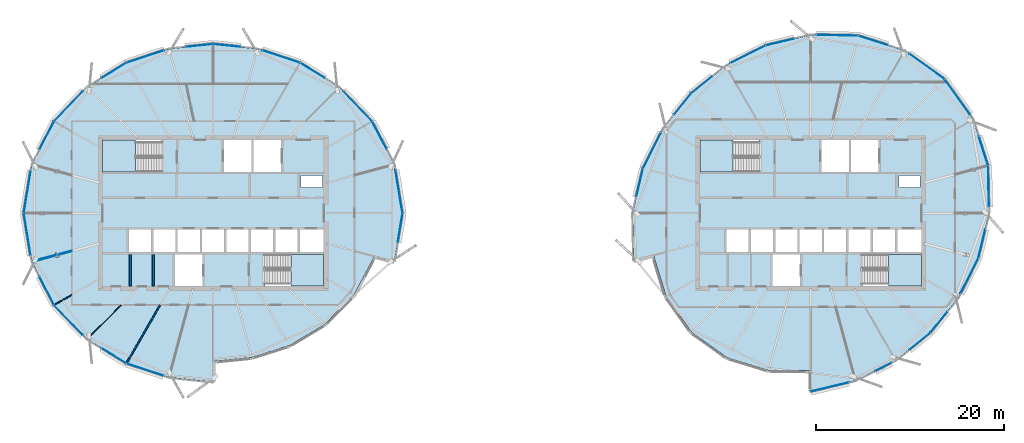
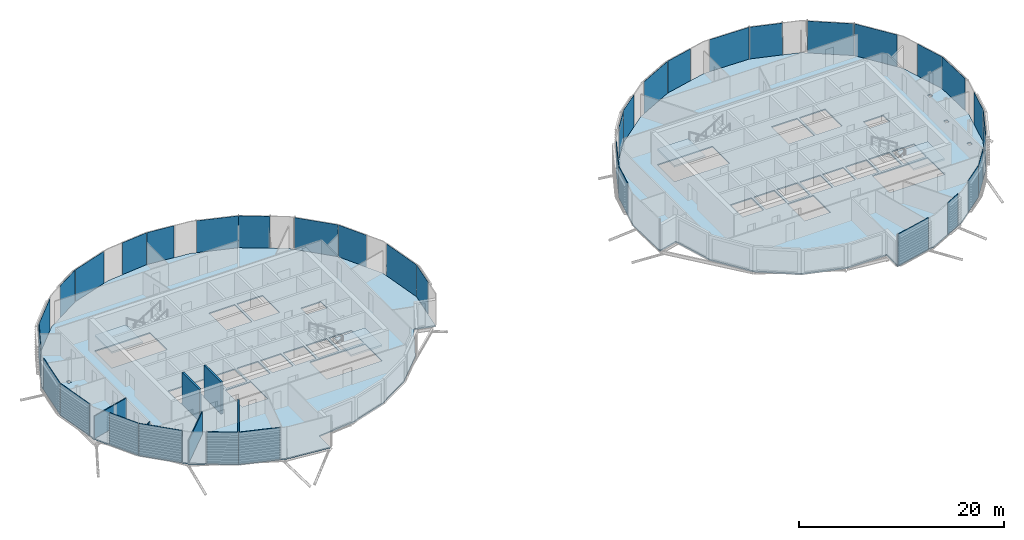
# One storey, part 15 of 34: 36 plates, 6 slabs, 6 walls, 6 elements without a shape of their own.
"""IFC4 building model written with IfcOpenShell, lengths in metres."""

from ifc_helpers import new_model, si_unit, direction, frame, frame_2d, origin, origin_2d, place, context, subcontext, project, spatial, polyline, rectangle, outline, extrude, material, layer, layer_set, type_object, element, aggregate, save


model = new_model("IFC4")

# Units and contexts
model_context = context("Model", 3, precision=1e-05, world=origin(), true_north=direction((0.0, 1.0)))
body_context = subcontext(model_context, "Body", "Model", "MODEL_VIEW")
ifc_project = project(units=[si_unit("LENGTHUNIT", "METRE"), si_unit("AREAUNIT", "SQUARE_METRE"), si_unit("VOLUMEUNIT", "CUBIC_METRE"), si_unit("PLANEANGLEUNIT", "RADIAN"), si_unit("MASSUNIT", "GRAM", prefix="KILO")], contexts=[model_context])

# Site, building, storey
site_placement = place(None, origin())
site = spatial("IfcSite", under=ifc_project, at=site_placement, CompositionType="ELEMENT")
building_placement = place(site_placement, origin())
building = spatial("IfcBuilding", under=site, at=building_placement, Name="Rimbun Link Towers", CompositionType="ELEMENT")
storey_placement = place(building_placement, frame((0.0, 0.0, 252.300048828125)))
storey = spatial("IfcBuildingStorey", under=building, at=storey_placement, Name="L62", CompositionType="ELEMENT", Elevation=252.300048828125)

# Slabs
ifc_material_1 = material(Name="Concrete C35/45", Category="concrete")
ifc_layer_1 = layer(ifc_material_1, 0.139892578125)
ifc_layer_set_1 = layer_set([ifc_layer_1], Name="COMPOSITE FLOOR 140")
slab_type_1 = type_object("IfcSlabType", Name="COMPOSITE FLOOR 140", PredefinedType="FLOOR", material=ifc_layer_set_1)
slab_1_placement = place(storey_placement, frame((0.0, 0.0, -0.14013671875)))
element("IfcSlab", 1, at=slab_1_placement, inside=storey, type_object=slab_type_1, Name="Floor slab T1 L62", PredefinedType="FLOOR", context=body_context, shape_type="SweptSolid", body=[
    extrude(outline(polyline([(-36.428466796875, -17.460693359375), (-40.96337890625, -15.957763671875), (-45.14208984375, -13.39208984375), (-48.635009765625, -9.74853515625), (-51.009033203125, -5.160400390625), (-51.857666015625, 0.0), (-51.009033203125, 5.160400390625), (-48.635009765625, 9.74853515625), (-45.14208984375, 13.39208984375), (-40.96337890625, 15.957763671875), (-36.428466796875, 17.460693359375), (-31.75, 17.953369140625), (-27.071533203125, 17.460693359375), (-22.53662109375, 15.957763671875), (-18.35791015625, 13.39208984375), (-14.864990234375, 9.74853515625), (-12.490966796875, 5.160400390625), (-11.642333984375, 0.0), (-12.490966796875, -5.160400390625), (-14.615966796875, -4.591064453125), (-16.77001953125, -8.648681640625), (-19.91357421875, -11.83642578125), (-23.63671875, -14.052490234375), (-27.640869140625, -15.33544921875), (-31.75, -15.75341796875), (-31.75, -17.953369140625), (-36.428466796875, -17.460693359375)]), holes=[polyline([(-32.89990234375, -7.75), (-32.89990234375, -4.39990234375), (-35.800048828125, -4.39990234375), (-35.800048828125, -7.75), (-32.89990234375, -7.75)]), polyline([(-48.135009765625, -4.640625), (-48.135009765625, -4.2470703125), (-48.533935546875, -4.2470703125), (-48.533935546875, -4.640625), (-48.135009765625, -4.640625)]), polyline([(-38.361083984375, -4.14990234375), (-38.361083984375, -1.75), (-40.70556640625, -1.75), (-40.70556640625, -4.14990234375), (-38.361083984375, -4.14990234375)]), polyline([(-35.7666015625, -4.14990234375), (-35.7666015625, -1.75), (-38.111083984375, -1.75), (-38.111083984375, -4.14990234375), (-35.7666015625, -4.14990234375)]), polyline([(-33.172119140625, -4.14990234375), (-33.172119140625, -1.75), (-35.5166015625, -1.75), (-35.5166015625, -4.14990234375), (-33.172119140625, -4.14990234375)]), polyline([(-30.577880859375, -4.14990234375), (-30.577880859375, -1.75), (-32.922119140625, -1.75), (-32.922119140625, -4.14990234375), (-30.577880859375, -4.14990234375)]), polyline([(-49.733642578125, -0.19677734375), (-49.733642578125, 0.19677734375), (-50.132568359375, 0.19677734375), (-50.132568359375, -0.19677734375), (-49.733642578125, -0.19677734375)]), polyline([(-48.135009765625, 4.2470703125), (-48.135009765625, 4.640625), (-48.533935546875, 4.640625), (-48.533935546875, 4.2470703125), (-48.135009765625, 4.2470703125)]), polyline([(-37.260009765625, 4.39990234375), (-37.260009765625, 7.75), (-43.5, 7.75), (-43.5, 4.39990234375), (-37.260009765625, 4.39990234375)]), polyline([(-20.0, -7.75), (-20.0, -4.39990234375), (-26.239990234375, -4.39990234375), (-26.239990234375, -7.75), (-20.0, -7.75)]), polyline([(-27.9833984375, -4.14990234375), (-27.9833984375, -1.75), (-30.327880859375, -1.75), (-30.327880859375, -4.14990234375), (-27.9833984375, -4.14990234375)]), polyline([(-25.388916015625, -4.14990234375), (-25.388916015625, -1.75), (-27.7333984375, -1.75), (-27.7333984375, -4.14990234375), (-25.388916015625, -4.14990234375)]), polyline([(-22.79443359375, -4.14990234375), (-22.79443359375, -1.75), (-25.138916015625, -1.75), (-25.138916015625, -4.14990234375), (-22.79443359375, -4.14990234375)]), polyline([(-20.0, -4.14990234375), (-20.0, -1.75), (-22.54443359375, -1.75), (-22.54443359375, -4.14990234375), (-20.0, -4.14990234375)]), polyline([(-22.394287109375, 2.75), (-20.14990234375, 2.75), (-20.14990234375, 4.0), (-22.394287109375, 4.0), (-22.394287109375, 2.75)]), polyline([(-30.60009765625, 4.39990234375), (-27.699951171875, 4.39990234375), (-27.699951171875, 7.75), (-30.60009765625, 7.75), (-30.60009765625, 4.39990234375)]), polyline([(-27.449951171875, 4.39990234375), (-24.550048828125, 4.39990234375), (-24.550048828125, 7.75), (-27.449951171875, 7.75), (-27.449951171875, 4.39990234375)])]), origin(), (0.0, 0.0, 1.0), 0.14013671875),
])
slab_2_placement = place(storey_placement, frame((0.0, 0.0, -0.14013671875)))
element("IfcSlab", 2, at=slab_2_placement, inside=storey, type_object=slab_type_1, Name="Floor slab T2 L62", PredefinedType="FLOOR", context=body_context, shape_type="SweptSolid", body=[
    extrude(outline(polyline([(12.810791015625, 0.0), (13.951416015625, 4.76904296875), (16.09521484375, 9.038330078125), (19.05517578125, 12.69482421875), (22.711669921875, 15.65478515625), (26.98095703125, 17.798583984375), (31.75, 18.939208984375), (36.79638671875, 18.8330078125), (41.71923828125, 17.267333984375), (45.96826171875, 14.21826171875), (49.017333984375, 9.96923828125), (50.5830078125, 5.04638671875), (50.689208984375, 0.0), (49.548583984375, -4.76904296875), (47.40478515625, -9.038330078125), (44.44482421875, -12.69482421875), (40.788330078125, -15.65478515625), (36.51904296875, -17.798583984375), (31.75, -18.939208984375), (31.75, -16.7392578125), (27.273193359375, -16.7080078125), (22.880615234375, -15.362060546875), (19.08740234375, -12.66259765625), (16.387939453125, -8.869384765625), (15.0419921875, -4.476806640625), (12.9169921875, -5.04638671875), (12.810791015625, 0.0)]), holes=[polyline([(30.60009765625, -7.75), (30.60009765625, -4.39990234375), (27.699951171875, -4.39990234375), (27.699951171875, -7.75), (30.60009765625, -7.75)]), polyline([(25.138916015625, -4.14990234375), (25.138916015625, -1.75), (22.79443359375, -1.75), (22.79443359375, -4.14990234375), (25.138916015625, -4.14990234375)]), polyline([(27.7333984375, -4.14990234375), (27.7333984375, -1.75), (25.388916015625, -1.75), (25.388916015625, -4.14990234375), (27.7333984375, -4.14990234375)]), polyline([(30.327880859375, -4.14990234375), (30.327880859375, -1.75), (27.9833984375, -1.75), (27.9833984375, -4.14990234375), (30.327880859375, -4.14990234375)]), polyline([(32.922119140625, -4.14990234375), (32.922119140625, -1.75), (30.577880859375, -1.75), (30.577880859375, -4.14990234375), (32.922119140625, -4.14990234375)]), polyline([(35.5166015625, -4.14990234375), (35.5166015625, -1.75), (33.172119140625, -1.75), (33.172119140625, -4.14990234375), (35.5166015625, -4.14990234375)]), polyline([(38.111083984375, -4.14990234375), (38.111083984375, -1.75), (35.7666015625, -1.75), (35.7666015625, -4.14990234375), (38.111083984375, -4.14990234375)]), polyline([(26.239990234375, 4.39990234375), (26.239990234375, 7.75), (20.0, 7.75), (20.0, 4.39990234375), (26.239990234375, 4.39990234375)]), polyline([(35.800048828125, 4.39990234375), (35.800048828125, 7.75), (32.89990234375, 7.75), (32.89990234375, 4.39990234375), (35.800048828125, 4.39990234375)]), polyline([(43.5, -7.75), (43.5, -4.39990234375), (37.260009765625, -4.39990234375), (37.260009765625, -7.75), (43.5, -7.75)]), polyline([(48.4482421875, -4.61767578125), (48.4482421875, -4.22412109375), (48.04931640625, -4.22412109375), (48.04931640625, -4.61767578125), (48.4482421875, -4.61767578125)]), polyline([(40.70556640625, -4.14990234375), (40.70556640625, -1.75), (38.361083984375, -1.75), (38.361083984375, -4.14990234375), (40.70556640625, -4.14990234375)]), polyline([(43.5, -4.14990234375), (43.5, -1.75), (40.95556640625, -1.75), (40.95556640625, -4.14990234375), (43.5, -4.14990234375)]), polyline([(48.37451171875, -0.19677734375), (48.37451171875, 0.19677734375), (47.9755859375, 0.19677734375), (47.9755859375, -0.19677734375), (48.37451171875, -0.19677734375)]), polyline([(41.105712890625, 2.75), (43.35009765625, 2.75), (43.35009765625, 4.0), (41.105712890625, 4.0), (41.105712890625, 2.75)]), polyline([(48.78857421875, 4.422119140625), (49.1875, 4.422119140625), (49.1875, 4.815673828125), (48.78857421875, 4.815673828125), (48.78857421875, 4.422119140625)]), polyline([(36.050048828125, 4.39990234375), (38.949951171875, 4.39990234375), (38.949951171875, 7.75), (36.050048828125, 7.75), (36.050048828125, 4.39990234375)])]), origin(), (0.0, 0.0, 1.0), 0.14013671875),
])

# Curtain wall, plates
ifc_material_2 = material(Name="Aluminium 6063-T6 and low-iron glass", Category="aluminium")
curtain_wall_type = type_object("IfcCurtainWallType", Name="CW1-Z4 unitised vision wall (zone 4)", PredefinedType="NOTDEFINED", material=ifc_material_2)
curtain_wall_1_placement = place(storey_placement, origin())
curtain_wall_1 = element("IfcCurtainWall", 3, at=curtain_wall_1_placement, inside=storey, type_object=curtain_wall_type, Name="CW1 L62 T1", PredefinedType="NOTDEFINED")
ifc_material_3 = material(Name="Low-iron glass, laminated low-e unit", Category="glass")
ifc_layer_2 = layer(ifc_material_3, 0.028076171875)
ifc_layer_set_2 = layer_set([ifc_layer_2], Name="CW1 panel Low-iron glass 28")
plate_type = type_object("IfcPlateType", Name="CW1 panel Low-iron glass 28", PredefinedType="CURTAIN_PANEL", material=ifc_layer_set_2)
plate_1_placement = place(storey_placement, frame((-12.004150390625, 2.286376953125, 0.0), z_axis=(0.0, 0.0, 1.0), x_axis=(0.162262199201, -0.986747677327, 0.0)))
plate_1 = element("IfcPlate", 4, at=plate_1_placement, type_object=plate_type, Name="CW1 panel", PredefinedType="CURTAIN_PANEL", context=body_context, shape_type="SweptSolid", body=[
    extrude(rectangle(XDim=4.58984375, YDim=0.028076171875, at=origin_2d()), origin(), (0.0, 0.0, 1.0), 3.800048828125),
])
plate_2_placement = place(storey_placement, frame((-14.090576171875, 8.282470703125, 0.0), z_axis=(0.0, 0.0, 1.0), x_axis=(0.459551935126, -0.888150898734, 0.0)))
plate_2 = element("IfcPlate", 5, at=plate_2_placement, type_object=plate_type, Name="CW1 panel", PredefinedType="CURTAIN_PANEL", context=body_context, shape_type="SweptSolid", body=[
    extrude(rectangle(XDim=3.27587890625, YDim=0.028076171875, at=origin_2d()), origin(), (0.0, 0.0, 1.0), 3.800048828125),
])
plate_3_placement = place(storey_placement, frame((-16.393798828125, 11.363525390625, 0.0), z_axis=(0.0, 0.0, 1.0), x_axis=(0.692040898915, -0.721858292347, 0.0)))
plate_3 = element("IfcPlate", 6, at=plate_3_placement, type_object=plate_type, Name="CW1 panel", PredefinedType="CURTAIN_PANEL", context=body_context, shape_type="SweptSolid", body=[
    extrude(rectangle(XDim=4.407470703125, YDim=0.028076171875, at=origin_2d()), origin(), (0.0, 0.0, 1.0), 3.800048828125),
])
plate_4_placement = place(storey_placement, frame((-21.20703125, 15.15771484375, 0.0), z_axis=(0.0, 0.0, 1.0), x_axis=(0.852192124219, -0.523228997113, 0.0)))
plate_4 = element("IfcPlate", 7, at=plate_4_placement, type_object=plate_type, Name="CW1 panel", PredefinedType="CURTAIN_PANEL", context=body_context, shape_type="SweptSolid", body=[
    extrude(rectangle(XDim=3.0634765625, YDim=0.028076171875, at=origin_2d()), origin(), (0.0, 0.0, 1.0), 3.800048828125),
])
plate_5_placement = place(storey_placement, frame((-24.53857421875, 16.635986328125, 0.0), z_axis=(0.0, 0.0, 1.0), x_axis=(0.949234460205, -0.314569451089, 0.0)))
plate_5 = element("IfcPlate", 8, at=plate_5_placement, type_object=plate_type, Name="CW1 panel", PredefinedType="CURTAIN_PANEL", context=body_context, shape_type="SweptSolid", body=[
    extrude(rectangle(XDim=4.187255859375, YDim=0.028076171875, at=origin_2d()), origin(), (0.0, 0.0, 1.0), 3.800048828125),
])
plate_6_placement = place(storey_placement, frame((-30.279541015625, 17.8125, 0.0), z_axis=(0.0, 0.0, 1.0), x_axis=(0.994500443326, -0.10473236474, 0.0)))
plate_6 = element("IfcPlate", 9, at=plate_6_placement, type_object=plate_type, Name="CW1 panel", PredefinedType="CURTAIN_PANEL", context=body_context, shape_type="SweptSolid", body=[
    extrude(rectangle(XDim=2.914306640625, YDim=0.028076171875, at=origin_2d()), origin(), (0.0, 0.0, 1.0), 3.800048828125),
])
plate_7_placement = place(storey_placement, frame((-33.220458984375, 17.8125, 0.0), z_axis=(0.0, 0.0, 1.0), x_axis=(0.994500443326, 0.10473236474, 0.0)))
plate_7 = element("IfcPlate", 10, at=plate_7_placement, type_object=plate_type, Name="CW1 panel", PredefinedType="CURTAIN_PANEL", context=body_context, shape_type="SweptSolid", body=[
    extrude(rectangle(XDim=2.914306640625, YDim=0.028076171875, at=origin_2d()), origin(), (0.0, 0.0, 1.0), 3.800048828125),
])
plate_8_placement = place(storey_placement, frame((-38.96142578125, 16.635986328125, 0.0), z_axis=(0.0, 0.0, 1.0), x_axis=(0.949234460205, 0.314569451089, 0.0)))
plate_8 = element("IfcPlate", 11, at=plate_8_placement, type_object=plate_type, Name="CW1 panel", PredefinedType="CURTAIN_PANEL", context=body_context, shape_type="SweptSolid", body=[
    extrude(rectangle(XDim=4.187255859375, YDim=0.028076171875, at=origin_2d()), origin(), (0.0, 0.0, 1.0), 3.800048828125),
])
plate_9_placement = place(storey_placement, frame((-42.29296875, 15.15771484375, 0.0), z_axis=(0.0, 0.0, 1.0), x_axis=(0.852192124219, 0.523228997113, 0.0)))
plate_9 = element("IfcPlate", 12, at=plate_9_placement, type_object=plate_type, Name="CW1 panel", PredefinedType="CURTAIN_PANEL", context=body_context, shape_type="SweptSolid", body=[
    extrude(rectangle(XDim=3.0634765625, YDim=0.028076171875, at=origin_2d()), origin(), (0.0, 0.0, 1.0), 3.800048828125),
])
plate_10_placement = place(storey_placement, frame((-47.106201171875, 11.363525390625, 0.0), z_axis=(0.0, 0.0, 1.0), x_axis=(0.692040898915, 0.721858292347, 0.0)))
plate_10 = element("IfcPlate", 13, at=plate_10_placement, type_object=plate_type, Name="CW1 panel", PredefinedType="CURTAIN_PANEL", context=body_context, shape_type="SweptSolid", body=[
    extrude(rectangle(XDim=4.407470703125, YDim=0.028076171875, at=origin_2d()), origin(), (0.0, 0.0, 1.0), 3.800048828125),
])
plate_11_placement = place(storey_placement, frame((-49.432373046875, 8.238037109375, 0.0), z_axis=(0.0, 0.0, 1.0), x_axis=(0.459551935126, 0.888150898734, 0.0)))
plate_11 = element("IfcPlate", 14, at=plate_11_placement, type_object=plate_type, Name="CW1 panel", PredefinedType="CURTAIN_PANEL", context=body_context, shape_type="SweptSolid", body=[
    extrude(rectangle(XDim=3.3759765625, YDim=0.028076171875, at=origin_2d()), origin(), (0.0, 0.0, 1.0), 3.800048828125),
])
plate_12_placement = place(storey_placement, frame((-51.5, 2.26171875, 0.0), z_axis=(0.0, 0.0, 1.0), x_axis=(0.162262199201, 0.986747677327, 0.0)))
plate_12 = element("IfcPlate", 15, at=plate_12_placement, type_object=plate_type, Name="CW1 panel", PredefinedType="CURTAIN_PANEL", context=body_context, shape_type="SweptSolid", body=[
    extrude(rectangle(XDim=4.539794921875, YDim=0.028076171875, at=origin_2d()), origin(), (0.0, 0.0, 1.0), 3.800048828125),
])
plate_13_placement = place(storey_placement, frame((-51.5, -2.26171875, 0.0), z_axis=(0.0, 0.0, 1.0), x_axis=(-0.162262199201, 0.986747677327, 0.0)))
plate_13 = element("IfcPlate", 16, at=plate_13_placement, type_object=plate_type, Name="CW1 panel", PredefinedType="CURTAIN_PANEL", context=body_context, shape_type="SweptSolid", body=[
    extrude(rectangle(XDim=4.539794921875, YDim=0.028076171875, at=origin_2d()), origin(), (0.0, 0.0, 1.0), 3.800048828125),
])
plate_14_placement = place(storey_placement, frame((-49.432373046875, -8.238037109375, 0.0), z_axis=(0.0, 0.0, 1.0), x_axis=(-0.459551935126, 0.888150898734, 0.0)))
plate_14 = element("IfcPlate", 17, at=plate_14_placement, type_object=plate_type, Name="CW1 panel", PredefinedType="CURTAIN_PANEL", context=body_context, shape_type="SweptSolid", body=[
    extrude(rectangle(XDim=3.3759765625, YDim=0.028076171875, at=origin_2d()), origin(), (0.0, 0.0, 1.0), 3.800048828125),
])
plate_15_placement = place(storey_placement, frame((-47.106201171875, -11.363525390625, 0.0), z_axis=(0.0, 0.0, 1.0), x_axis=(-0.692040898915, 0.721858292347, 0.0)))
plate_15 = element("IfcPlate", 18, at=plate_15_placement, type_object=plate_type, Name="CW1 panel", PredefinedType="CURTAIN_PANEL", context=body_context, shape_type="SweptSolid", body=[
    extrude(rectangle(XDim=4.407470703125, YDim=0.028076171875, at=origin_2d()), origin(), (0.0, 0.0, 1.0), 3.800048828125),
])
plate_16_placement = place(storey_placement, frame((-42.29296875, -15.15771484375, 0.0), z_axis=(0.0, 0.0, 1.0), x_axis=(-0.852192124219, 0.523228997113, 0.0)))
plate_16 = element("IfcPlate", 19, at=plate_16_placement, type_object=plate_type, Name="CW1 panel", PredefinedType="CURTAIN_PANEL", context=body_context, shape_type="SweptSolid", body=[
    extrude(rectangle(XDim=3.0634765625, YDim=0.028076171875, at=origin_2d()), origin(), (0.0, 0.0, 1.0), 3.800048828125),
])
plate_17_placement = place(storey_placement, frame((-38.985107421875, -16.628173828125, 0.0), z_axis=(0.0, 0.0, 1.0), x_axis=(-0.949234460205, 0.314569451089, 0.0)))
plate_17 = element("IfcPlate", 20, at=plate_17_placement, type_object=plate_type, Name="CW1 panel", PredefinedType="CURTAIN_PANEL", context=body_context, shape_type="SweptSolid", body=[
    extrude(rectangle(XDim=4.13720703125, YDim=0.028076171875, at=origin_2d()), origin(), (0.0, 0.0, 1.0), 3.800048828125),
])
plate_18_placement = place(storey_placement, frame((-11.886474609375, -1.571044921875, 0.0), z_axis=(0.0, 0.0, 1.0), x_axis=(-0.162262199201, -0.986747677327, 0.0)))
plate_18 = element("IfcPlate", 21, at=plate_18_placement, type_object=plate_type, Name="CW1 panel", PredefinedType="CURTAIN_PANEL", context=body_context, shape_type="SweptSolid", body=[
    extrude(rectangle(XDim=3.139892578125, YDim=0.028076171875, at=origin_2d()), origin(), (0.0, 0.0, 1.0), 3.800048828125),
])
aggregate(curtain_wall_1, [plate_1, plate_2, plate_3, plate_4, plate_5, plate_6, plate_7, plate_8, plate_9, plate_10, plate_11, plate_12, plate_13, plate_14, plate_15, plate_16, plate_17, plate_18])

curtain_wall_2_placement = place(storey_placement, origin())
curtain_wall_2 = element("IfcCurtainWall", 22, at=curtain_wall_2_placement, inside=storey, type_object=curtain_wall_type, Name="CW1 L62 T2", PredefinedType="NOTDEFINED")
plate_19_placement = place(storey_placement, frame((44.095703125, 15.579345703125, 0.0), z_axis=(0.0, 0.0, 1.0), x_axis=(0.812465398272, -0.583009413827, 0.0)))
plate_19 = element("IfcPlate", 23, at=plate_19_placement, type_object=plate_type, Name="CW1 panel", PredefinedType="CURTAIN_PANEL", context=body_context, shape_type="SweptSolid", body=[
    extrude(rectangle(XDim=4.58984375, YDim=0.028076171875, at=origin_2d()), origin(), (0.0, 0.0, 1.0), 3.800048828125),
])
plate_20_placement = place(storey_placement, frame((38.380615234375, 18.34375, 0.0), z_axis=(0.0, 0.0, 1.0), x_axis=(0.952971021704, -0.303061432375, 0.0)))
plate_20 = element("IfcPlate", 24, at=plate_20_placement, type_object=plate_type, Name="CW1 panel", PredefinedType="CURTAIN_PANEL", context=body_context, shape_type="SweptSolid", body=[
    extrude(rectangle(XDim=3.27587890625, YDim=0.028076171875, at=origin_2d()), origin(), (0.0, 0.0, 1.0), 3.800048828125),
])
plate_21_placement = place(storey_placement, frame((34.573486328125, 18.893798828125, 0.0), z_axis=(0.0, 0.0, 1.0), x_axis=(0.999778207989, -0.021060266635, 0.0)))
plate_21 = element("IfcPlate", 25, at=plate_21_placement, type_object=plate_type, Name="CW1 panel", PredefinedType="CURTAIN_PANEL", context=body_context, shape_type="SweptSolid", body=[
    extrude(rectangle(XDim=4.407470703125, YDim=0.028076171875, at=origin_2d()), origin(), (0.0, 0.0, 1.0), 3.800048828125),
])
plate_22_placement = place(storey_placement, frame((28.48681640625, 18.173095703125, 0.0), z_axis=(0.0, 0.0, 1.0), x_axis=(0.972571370192, 0.232604664363, 0.0)))
plate_22 = element("IfcPlate", 26, at=plate_22_placement, type_object=plate_type, Name="CW1 panel", PredefinedType="CURTAIN_PANEL", context=body_context, shape_type="SweptSolid", body=[
    extrude(rectangle(XDim=3.063720703125, YDim=0.028076171875, at=origin_2d()), origin(), (0.0, 0.0, 1.0), 3.800048828125),
])
plate_23_placement = place(storey_placement, frame((25.085693359375, 16.862548828125, 0.0), z_axis=(0.0, 0.0, 1.0), x_axis=(0.893647148893, 0.4487702901, 0.0)))
plate_23 = element("IfcPlate", 27, at=plate_23_placement, type_object=plate_type, Name="CW1 panel", PredefinedType="CURTAIN_PANEL", context=body_context, shape_type="SweptSolid", body=[
    extrude(rectangle(XDim=4.187255859375, YDim=0.028076171875, at=origin_2d()), origin(), (0.0, 0.0, 1.0), 3.800048828125),
])
plate_24_placement = place(storey_placement, frame((20.175048828125, 13.619384765625, 0.0), z_axis=(0.0, 0.0, 1.0), x_axis=(0.777276551105, 0.629159092045, 0.0)))
plate_24 = element("IfcPlate", 28, at=plate_24_placement, type_object=plate_type, Name="CW1 panel", PredefinedType="CURTAIN_PANEL", context=body_context, shape_type="SweptSolid", body=[
    extrude(rectangle(XDim=2.8642578125, YDim=0.028076171875, at=origin_2d()), origin(), (0.0, 0.0, 1.0), 3.800048828125),
])
plate_25_placement = place(storey_placement, frame((18.130615234375, 11.574951171875, 0.0), z_axis=(0.0, 0.0, 1.0), x_axis=(0.629159092045, 0.777276551105, 0.0)))
plate_25 = element("IfcPlate", 29, at=plate_25_placement, type_object=plate_type, Name="CW1 panel", PredefinedType="CURTAIN_PANEL", context=body_context, shape_type="SweptSolid", body=[
    extrude(rectangle(XDim=2.8642578125, YDim=0.028076171875, at=origin_2d()), origin(), (0.0, 0.0, 1.0), 3.800048828125),
])
plate_26_placement = place(storey_placement, frame((14.887451171875, 6.664306640625, 0.0), z_axis=(0.0, 0.0, 1.0), x_axis=(0.4487702901, 0.893647148893, 0.0)))
plate_26 = element("IfcPlate", 30, at=plate_26_placement, type_object=plate_type, Name="CW1 panel", PredefinedType="CURTAIN_PANEL", context=body_context, shape_type="SweptSolid", body=[
    extrude(rectangle(XDim=4.187255859375, YDim=0.028076171875, at=origin_2d()), origin(), (0.0, 0.0, 1.0), 3.800048828125),
])
plate_27_placement = place(storey_placement, frame((13.571044921875, 3.23876953125, 0.0), z_axis=(0.0, 0.0, 1.0), x_axis=(0.232604664363, 0.972571370192, 0.0)))
plate_27 = element("IfcPlate", 31, at=plate_27_placement, type_object=plate_type, Name="CW1 panel", PredefinedType="CURTAIN_PANEL", context=body_context, shape_type="SweptSolid", body=[
    extrude(rectangle(XDim=3.113525390625, YDim=0.028076171875, at=origin_2d()), origin(), (0.0, 0.0, 1.0), 3.800048828125),
])
plate_28_placement = place(storey_placement, frame((33.773193359375, -18.4697265625, 0.0), z_axis=(0.0, 0.0, 1.0), x_axis=(-0.972571370192, -0.232604664363, 0.0)))
plate_28 = element("IfcPlate", 32, at=plate_28_placement, type_object=plate_type, Name="CW1 panel", PredefinedType="CURTAIN_PANEL", context=body_context, shape_type="SweptSolid", body=[
    extrude(rectangle(XDim=4.113525390625, YDim=0.028076171875, at=origin_2d()), origin(), (0.0, 0.0, 1.0), 3.800048828125),
])
plate_29_placement = place(storey_placement, frame((39.44189453125, -16.346435546875, 0.0), z_axis=(0.0, 0.0, 1.0), x_axis=(-0.893647148893, -0.4487702901, 0.0)))
plate_29 = element("IfcPlate", 33, at=plate_29_placement, type_object=plate_type, Name="CW1 panel", PredefinedType="CURTAIN_PANEL", context=body_context, shape_type="SweptSolid", body=[
    extrude(rectangle(XDim=1.88720703125, YDim=0.028076171875, at=origin_2d()), origin(), (0.0, 0.0, 1.0), 3.800048828125),
])
plate_30_placement = place(storey_placement, frame((43.324951171875, -13.619384765625, 0.0), z_axis=(0.0, 0.0, 1.0), x_axis=(-0.777276551105, -0.629159092045, 0.0)))
plate_30 = element("IfcPlate", 34, at=plate_30_placement, type_object=plate_type, Name="CW1 panel", PredefinedType="CURTAIN_PANEL", context=body_context, shape_type="SweptSolid", body=[
    extrude(rectangle(XDim=2.8642578125, YDim=0.028076171875, at=origin_2d()), origin(), (0.0, 0.0, 1.0), 3.800048828125),
])
plate_31_placement = place(storey_placement, frame((45.369384765625, -11.574951171875, 0.0), z_axis=(0.0, 0.0, 1.0), x_axis=(-0.629159092045, -0.777276551105, 0.0)))
plate_31 = element("IfcPlate", 35, at=plate_31_placement, type_object=plate_type, Name="CW1 panel", PredefinedType="CURTAIN_PANEL", context=body_context, shape_type="SweptSolid", body=[
    extrude(rectangle(XDim=2.8642578125, YDim=0.028076171875, at=origin_2d()), origin(), (0.0, 0.0, 1.0), 3.800048828125),
])
plate_32_placement = place(storey_placement, frame((48.612548828125, -6.664306640625, 0.0), z_axis=(0.0, 0.0, 1.0), x_axis=(-0.4487702901, -0.893647148893, 0.0)))
plate_32 = element("IfcPlate", 36, at=plate_32_placement, type_object=plate_type, Name="CW1 panel", PredefinedType="CURTAIN_PANEL", context=body_context, shape_type="SweptSolid", body=[
    extrude(rectangle(XDim=4.187255859375, YDim=0.028076171875, at=origin_2d()), origin(), (0.0, 0.0, 1.0), 3.800048828125),
])
plate_33_placement = place(storey_placement, frame((49.928955078125, -3.23876953125, 0.0), z_axis=(0.0, 0.0, 1.0), x_axis=(-0.232604664363, -0.972571370192, 0.0)))
plate_33 = element("IfcPlate", 37, at=plate_33_placement, type_object=plate_type, Name="CW1 panel", PredefinedType="CURTAIN_PANEL", context=body_context, shape_type="SweptSolid", body=[
    extrude(rectangle(XDim=3.113525390625, YDim=0.028076171875, at=origin_2d()), origin(), (0.0, 0.0, 1.0), 3.800048828125),
])
plate_34_placement = place(storey_placement, frame((50.643310546875, 2.848388671875, 0.0), z_axis=(0.0, 0.0, 1.0), x_axis=(0.021060266635, -0.999778207989, 0.0)))
plate_34 = element("IfcPlate", 38, at=plate_34_placement, type_object=plate_type, Name="CW1 panel", PredefinedType="CURTAIN_PANEL", context=body_context, shape_type="SweptSolid", body=[
    extrude(rectangle(XDim=4.357421875, YDim=0.028076171875, at=origin_2d()), origin(), (0.0, 0.0, 1.0), 3.800048828125),
])
plate_35_placement = place(storey_placement, frame((50.101318359375, 6.606689453125, 0.0), z_axis=(0.0, 0.0, 1.0), x_axis=(0.303061432375, -0.952971021704, 0.0)))
plate_35 = element("IfcPlate", 39, at=plate_35_placement, type_object=plate_type, Name="CW1 panel", PredefinedType="CURTAIN_PANEL", context=body_context, shape_type="SweptSolid", body=[
    extrude(rectangle(XDim=3.225830078125, YDim=0.028076171875, at=origin_2d()), origin(), (0.0, 0.0, 1.0), 3.800048828125),
])
plate_36_placement = place(storey_placement, frame((47.329345703125, 12.345703125, 0.0), z_axis=(0.0, 0.0, 1.0), x_axis=(0.583009413827, -0.812465398272, 0.0)))
plate_36 = element("IfcPlate", 40, at=plate_36_placement, type_object=plate_type, Name="CW1 panel", PredefinedType="CURTAIN_PANEL", context=body_context, shape_type="SweptSolid", body=[
    extrude(rectangle(XDim=4.58984375, YDim=0.028076171875, at=origin_2d()), origin(), (0.0, 0.0, 1.0), 3.800048828125),
])
aggregate(curtain_wall_2, [plate_19, plate_20, plate_21, plate_22, plate_23, plate_24, plate_25, plate_26, plate_27, plate_28, plate_29, plate_30, plate_31, plate_32, plate_33, plate_34, plate_35, plate_36])

# Stair, slab
ifc_material_4 = material(Name="Concrete C40/50", Category="concrete")
stair_type = type_object("IfcStairType", Name="Exit stair 3800 rise", PredefinedType="HALF_TURN_STAIR", material=ifc_material_4)
stair_1_placement = place(storey_placement, origin())
stair_1 = element("IfcStair", 41, at=stair_1_placement, inside=storey, type_object=stair_type, Name="L62 EXIT STAIR A", PredefinedType="HALF_TURN_STAIR")
ifc_material_5 = material(Name="Concrete C40/50", Category="concrete")
ifc_layer_3 = layer(ifc_material_5, 0.199951171875)
ifc_layer_set_3 = layer_set([ifc_layer_3], Name="Stair landing")
slab_type_2 = type_object("IfcSlabType", Name="Stair landing", PredefinedType="LANDING", material=ifc_layer_set_3)
slab_3_placement = place(storey_placement, frame((0.0, 0.0, 1.699951171875)))
slab_3 = element("IfcSlab", 42, at=slab_3_placement, type_object=slab_type_2, Name="ST1 landing 1", PredefinedType="LANDING", context=body_context, shape_type="SweptSolid", body=[
    extrude(outline(polyline([(-40.0, 7.75), (-43.5, 7.75), (-43.5, 4.39990234375), (-40.0, 4.39990234375), (-40.0, 7.75)])), origin(), (0.0, 0.0, 1.0), 0.199951171875),
])
aggregate(stair_1, [slab_3])

stair_2_placement = place(storey_placement, origin())
stair_2 = element("IfcStair", 43, at=stair_2_placement, inside=storey, type_object=stair_type, Name="L62 EXIT STAIR B", PredefinedType="HALF_TURN_STAIR")
slab_4_placement = place(storey_placement, frame((0.0, 0.0, 1.699951171875)))
slab_4 = element("IfcSlab", 44, at=slab_4_placement, type_object=slab_type_2, Name="ST2 landing 1", PredefinedType="LANDING", context=body_context, shape_type="SweptSolid", body=[
    extrude(outline(polyline([(-23.5, -7.75), (-20.0, -7.75), (-20.0, -4.39990234375), (-23.5, -4.39990234375), (-23.5, -7.75)])), origin(), (0.0, 0.0, 1.0), 0.199951171875),
])
aggregate(stair_2, [slab_4])

stair_3_placement = place(storey_placement, origin())
stair_3 = element("IfcStair", 45, at=stair_3_placement, inside=storey, type_object=stair_type, Name="L62 EXIT STAIR A", PredefinedType="HALF_TURN_STAIR")
slab_5_placement = place(storey_placement, frame((0.0, 0.0, 1.699951171875)))
slab_5 = element("IfcSlab", 46, at=slab_5_placement, type_object=slab_type_2, Name="ST3 landing 1", PredefinedType="LANDING", context=body_context, shape_type="SweptSolid", body=[
    extrude(outline(polyline([(23.5, 7.75), (20.0, 7.75), (20.0, 4.39990234375), (23.5, 4.39990234375), (23.5, 7.75)])), origin(), (0.0, 0.0, 1.0), 0.199951171875),
])
aggregate(stair_3, [slab_5])

stair_4_placement = place(storey_placement, origin())
stair_4 = element("IfcStair", 47, at=stair_4_placement, inside=storey, type_object=stair_type, Name="L62 EXIT STAIR B", PredefinedType="HALF_TURN_STAIR")
slab_6_placement = place(storey_placement, frame((0.0, 0.0, 1.699951171875)))
slab_6 = element("IfcSlab", 48, at=slab_6_placement, type_object=slab_type_2, Name="ST4 landing 1", PredefinedType="LANDING", context=body_context, shape_type="SweptSolid", body=[
    extrude(outline(polyline([(40.0, -7.75), (43.5, -7.75), (43.5, -4.39990234375), (40.0, -4.39990234375), (40.0, -7.75)])), origin(), (0.0, 0.0, 1.0), 0.199951171875),
])
aggregate(stair_4, [slab_6])

# Walls
ifc_material_6 = material(Name="Masonry blockwork", Category="masonry")
ifc_layer_4 = layer(ifc_material_6, 0.199951171875)
ifc_layer_set_4 = layer_set([ifc_layer_4], Name="Core partition 200")
wall_type_1 = type_object("IfcWallType", Name="Core partition 200", PredefinedType="PARTITIONING", material=ifc_layer_set_4)
for number, where, z_axis, x_axis, name in (
    (49, (-40.550048828125, -4.39990234375, 0.0), (0.0, 0.0, 1.0), (0.0, -1.0, 0.0), "L62 T1 core wall C1"),
    (50, (-38.10009765625, -4.39990234375, 0.0), (0.0, 0.0, 1.0), (0.0, -1.0, 0.0), "L62 T1 core wall C2"),
):
    element("IfcWall", number, at=place(storey_placement, frame(where, z_axis=z_axis, x_axis=x_axis)), inside=storey, type_object=wall_type_1, Name=name, PredefinedType="PARTITIONING", context=body_context, shape_type="SweptSolid", body=[
        extrude(rectangle(XDim=3.35009765625, YDim=0.199951171875, at=frame_2d((1.675048828125, 0.0))), origin(), (0.0, 0.0, 1.0), 3.800048828125),
    ])
ifc_material_7 = material(Name="Plasterboard on steel stud", Category="steel")
ifc_layer_5 = layer(ifc_material_7, 0.10009765625)
ifc_layer_set_5 = layer_set([ifc_layer_5], Name="Plasterboard partition 100 mm")
wall_type_2 = type_object("IfcWallType", Name="Plasterboard partition 100 mm", PredefinedType="PARTITIONING", material=ifc_layer_set_5)
wall_1_placement = place(storey_placement, frame((-51.009033203125, -5.160400390625, 0.0), z_axis=(0.0, 0.0, 1.0), x_axis=(0.965926422845, 0.258816818714, 0.0)))
element("IfcWall", 51, at=wall_1_placement, inside=storey, type_object=wall_type_2, Name="Plasterboard partition 100 mm", PredefinedType="PARTITIONING", context=body_context, shape_type="SweptSolid", body=[
    extrude(rectangle(XDim=4.383544921875, YDim=0.10009765625, at=frame_2d((2.19189453125, 0.0))), origin(), (0.0, 0.0, 1.0), 2.681884765625),
])
wall_2_placement = place(storey_placement, frame((-48.635009765625, -9.74853515625, 0.0), z_axis=(0.0, 0.0, 1.0), x_axis=(0.866066338354, 0.499929092542, 0.0)))
element("IfcWall", 52, at=wall_2_placement, inside=storey, type_object=wall_type_2, Name="Plasterboard partition 100 mm", PredefinedType="PARTITIONING", context=body_context, shape_type="SweptSolid", body=[
    extrude(rectangle(XDim=2.147705078125, YDim=0.10009765625, at=frame_2d((1.07373046875, 0.0))), origin(), (0.0, 0.0, 1.0), 2.681884765625),
])
wall_3_placement = place(storey_placement, frame((-45.14208984375, -13.39208984375, 0.0), z_axis=(0.0, 0.0, 1.0), x_axis=(0.707106781187, 0.707106781187, 0.0)))
element("IfcWall", 53, at=wall_3_placement, inside=storey, type_object=wall_type_2, Name="Plasterboard partition 100 mm", PredefinedType="PARTITIONING", context=body_context, shape_type="SweptSolid", body=[
    extrude(rectangle(XDim=5.129638671875, YDim=0.10009765625, at=frame_2d((2.56494140625, 0.0))), origin(), (0.0, 0.0, 1.0), 2.681884765625),
])
ifc_material_8 = material(Name="Plasterboard on steel stud, mineral wool", Category="steel")
ifc_layer_6 = layer(ifc_material_8, 0.14990234375)
ifc_layer_set_6 = layer_set([ifc_layer_6], Name="Tenancy separation wall EI 60 150 mm")
wall_type_3 = type_object("IfcWallType", Name="Tenancy separation wall EI 60 150 mm", PredefinedType="PARTITIONING", material=ifc_layer_set_6)
wall_4_placement = place(storey_placement, frame((-37.387939453125, -9.764892578125, 0.0), z_axis=(0.0, 0.0, 1.0), x_axis=(-0.499998286239, -0.866026393222, 0.0)))
element("IfcWall", 54, at=wall_4_placement, inside=storey, type_object=wall_type_3, Name="Tenancy separation wall EI 60 150 mm", PredefinedType="PARTITIONING", context=body_context, shape_type="SweptSolid", body=[
    extrude(rectangle(XDim=7.15087890625, YDim=0.14990234375, at=frame_2d((3.575439453125, 0.0))), origin(), (0.0, 0.0, 1.0), 2.681884765625),
])

save(model, "model.ifc")
